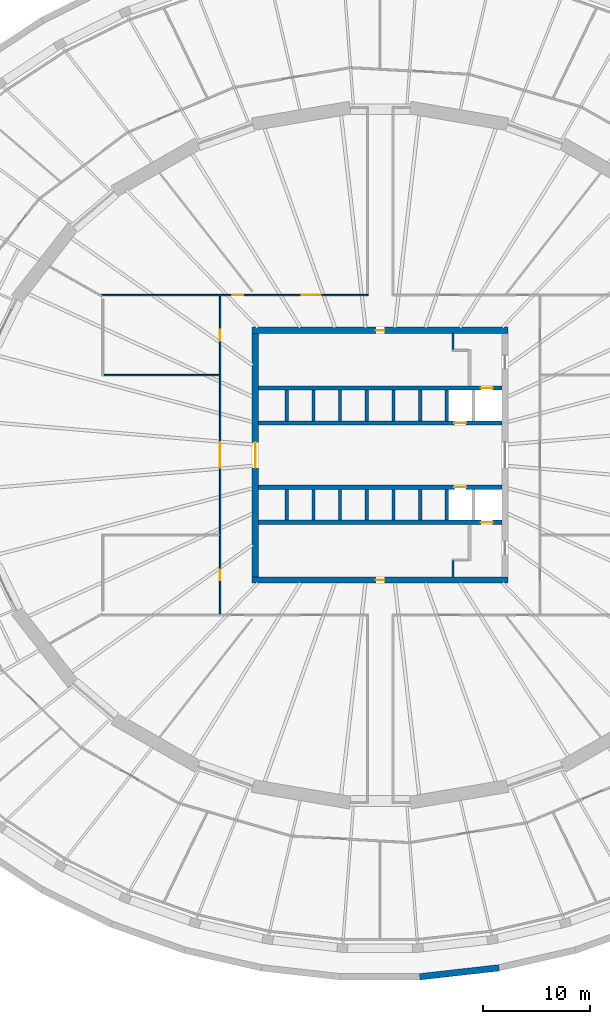
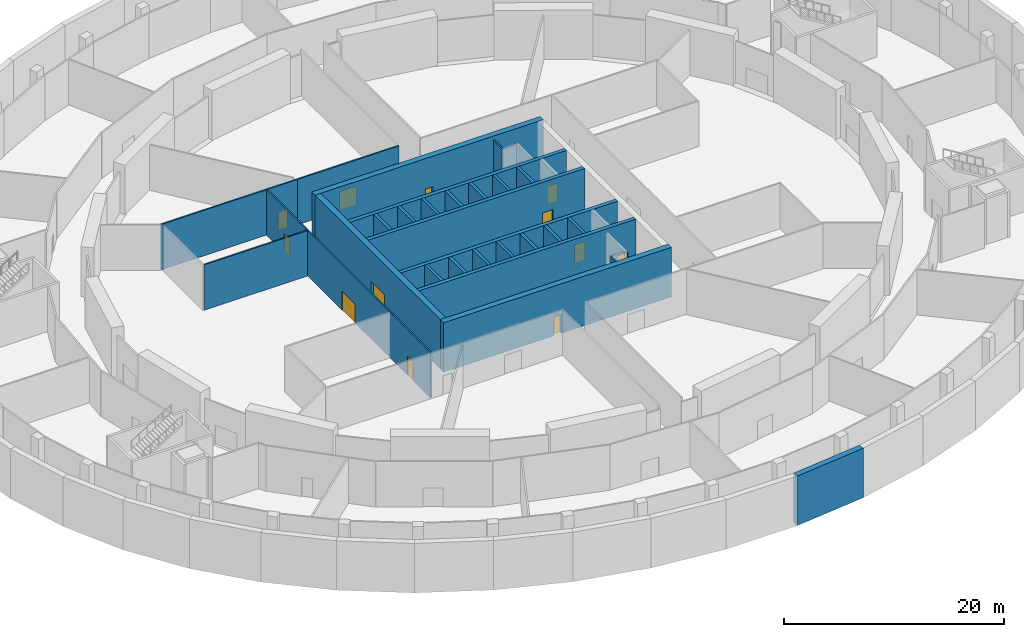
# One storey, part 7 of 14: 28 walls, 12 doors, 12 openings.
"""IFC4 building model written with IfcOpenShell, lengths in metres."""

import ifcopenshell
import ifcopenshell.guid

model = None  # the IFC model being written
_history = None  # IfcOwnerHistory: only IFC2X3 demands one
_inside = {}  # id of a spatial element -> (the spatial element, [elements in it])
_under = {}  # id of a project, library or spatial element -> (it, [spatial elements below it])
_declared = {}  # id of a project -> (the project, [libraries it declares])
_typed = {}  # id of a type object -> (the type object, [elements of that type])
_made_of = {}  # id of a material, layer set ... -> (it, [elements and type objects made of it])


def new_model(schema):
    """Start an empty IFC model of exactly this schema.

    Asked for "IFC4X3", IfcOpenShell would pick the latest addendum, in which some entities
    have other attributes; the version numbers below select the first issue.
    IFC2X3 requires an IfcOwnerHistory on every rooted entity: one is made here for all.
    """
    global model, _history
    if schema == "IFC4X3":
        model = ifcopenshell.file(schema_version=(4, 3, 0, 0))
    else:
        model = ifcopenshell.file(schema=schema)
    _inside.clear()
    _under.clear()
    _declared.clear()
    _typed.clear()
    _made_of.clear()
    _history = None
    if model.schema == "IFC2X3":
        org = make("IfcOrganization", Name="unknown")
        user = make(
            "IfcPersonAndOrganization",
            ThePerson=make("IfcPerson", FamilyName="unknown"),
            TheOrganization=org,
        )
        app = make(
            "IfcApplication",
            ApplicationDeveloper=org,
            Version="unknown",
            ApplicationFullName="unknown",
            ApplicationIdentifier="unknown",
        )
        _history = make(
            "IfcOwnerHistory",
            OwningUser=user,
            OwningApplication=app,
            ChangeAction="ADDED",
            CreationDate=0,
        )
    return model


def make(cls, **values):
    """One entity of the class cls with the attributes given. An attribute that is None is left unset."""
    return model.create_entity(
        cls, **{name: value for name, value in values.items() if value is not None}
    )


def rooted(cls, **values):
    """An entity with a GlobalId (a new one), such as an element, a storey or a relation."""
    return make(cls, GlobalId=ifcopenshell.guid.new(), OwnerHistory=_history, **values)


def si_unit(unit_type, name, prefix=None):
    """IfcSIUnit, for example si_unit("LENGTHUNIT", "METRE", prefix="MILLI")."""
    return make("IfcSIUnit", UnitType=unit_type, Prefix=prefix, Name=name)


def assignment(units):
    """IfcUnitAssignment: the units of a project."""
    return None if units is None else make("IfcUnitAssignment", Units=units)


def point(xyz):
    """IfcCartesianPoint."""
    return None if xyz is None else make("IfcCartesianPoint", Coordinates=xyz)


def direction(xyz):
    """IfcDirection."""
    return None if xyz is None else make("IfcDirection", DirectionRatios=xyz)


def frame(location, z_axis=None, x_axis=None):
    """IfcAxis2Placement3D, a coordinate frame: its origin and axes. An axis left out is left unset."""
    return make(
        "IfcAxis2Placement3D",
        Location=point(location),
        Axis=direction(z_axis),
        RefDirection=direction(x_axis),
    )


def frame_2d(location, x_axis=None):
    """IfcAxis2Placement2D, a coordinate frame in the plane: its origin and x axis."""
    return make(
        "IfcAxis2Placement2D", Location=point(location), RefDirection=direction(x_axis)
    )


def origin():
    """The frame at (0, 0, 0) with its axes left unset."""
    return frame((0.0, 0.0, 0.0))


def place(relative_to, where):
    """IfcLocalPlacement: puts the frame where relative to a parent placement (None: the world)."""
    return make(
        "IfcLocalPlacement", PlacementRelTo=relative_to, RelativePlacement=where
    )


def context(
    kind, dimensions, precision=None, world=None, true_north=None, identifier=None
):
    """IfcGeometricRepresentationContext, for example the 3D "Model" context."""
    return make(
        "IfcGeometricRepresentationContext",
        ContextIdentifier=identifier,
        ContextType=kind,
        CoordinateSpaceDimension=dimensions,
        Precision=precision,
        WorldCoordinateSystem=world,
        TrueNorth=true_north,
    )


def subcontext(parent, identifier, kind, view, scale=None):
    """IfcGeometricRepresentationSubContext, for example "Body" below "Model"."""
    return make(
        "IfcGeometricRepresentationSubContext",
        ContextIdentifier=identifier,
        ContextType=kind,
        ParentContext=parent,
        TargetScale=scale,
        TargetView=view,
    )


def project(units=None, contexts=None):
    """IfcProject with its units and contexts."""
    return rooted(
        "IfcProject",
        Name="project",
        RepresentationContexts=contexts,
        UnitsInContext=assignment(units),
    )


def spatial(cls, under=None, at=None, **own):
    """A site, building, storey or space (cls), placed at a placement, below another one or the project."""
    s = rooted(cls, ObjectPlacement=at, **own)
    if under is not None:
        _under.setdefault(under.id(), (under, []))[1].append(s)
    return s


def profile(cls, at=None, kind="AREA", **sizes):
    """A parametric profile (cls). Its sizes go by their IFC names, for example OverallWidth=200.0."""
    return make(cls, ProfileType=kind, Position=at, **sizes)


def rectangle(**sizes):
    """IfcRectangleProfileDef."""
    return profile("IfcRectangleProfileDef", **sizes)


def extrude(swept, where, along, depth):
    """IfcExtrudedAreaSolid: the profile swept, set in the frame where, extruded along a direction by depth."""
    return make(
        "IfcExtrudedAreaSolid",
        SweptArea=swept,
        Position=where,
        ExtrudedDirection=direction(along),
        Depth=depth,
    )


def shape(context_of_items, identifier, shape_type, items):
    """IfcShapeRepresentation: the items that make up one representation, for example the "Body"."""
    return make(
        "IfcShapeRepresentation",
        ContextOfItems=context_of_items,
        RepresentationIdentifier=identifier,
        RepresentationType=shape_type,
        Items=items,
    )


def material(Name=None, Category=None):
    """IfcMaterial."""
    return make("IfcMaterial", Name=Name, Category=Category)


def layer(
    of_material, thickness, ventilated=None, Name=None, Category=None, Priority=None
):
    """IfcMaterialLayer: one layer of a wall or slab, of a material (None: an air gap)."""
    return make(
        "IfcMaterialLayer",
        Material=of_material,
        LayerThickness=thickness,
        IsVentilated=ventilated,
        Name=Name,
        Category=Category,
        Priority=Priority,
    )


def layer_set(layers, Name=None):
    """IfcMaterialLayerSet."""
    return make("IfcMaterialLayerSet", MaterialLayers=layers, LayerSetName=Name)


def made_of(thing, what):
    """Note that an element or type object is made of a material, layer set ...; save() writes the relation."""
    if what is not None:
        _made_of.setdefault(what.id(), (what, []))[1].append(thing)
    return thing


def type_object(cls, material=None, **own):
    """A type object (cls), such as IfcWallType, which elements share."""
    return made_of(rooted(cls, **own), material)


def element(
    cls,
    number,
    at=None,
    inside=None,
    cuts=None,
    type_object=None,
    material=None,
    context=None,
    identifier="Body",
    shape_type=None,
    held_by="IfcProductDefinitionShape",
    body=None,
    shapes=None,
    **own,
):
    """One element of the class cls, such as IfcWall. Its Tag is "e" and its number.

    at: its placement. inside: the storey or other place that contains it. cuts: it is an
    opening in that element (IfcRelVoidsElement). A single representation is given by context,
    identifier, shape_type and body (its items); several are given by shapes. held_by: the class
    of the entity that holds the representations. save() writes the other relations.
    """
    e = rooted(cls, Tag="e%d" % number, ObjectPlacement=at, **own)
    if body is not None:
        shapes = [shape(context, identifier, shape_type, body)]
    if shapes is not None:
        e.Representation = make(held_by, Representations=shapes)
    if inside is not None:
        _inside.setdefault(inside.id(), (inside, []))[1].append(e)
    if cuts is not None:
        rooted(
            "IfcRelVoidsElement", RelatingBuildingElement=cuts, RelatedOpeningElement=e
        )
    if type_object is not None:
        _typed.setdefault(type_object.id(), (type_object, []))[1].append(e)
    return made_of(e, material)


def fill(opening, filler):
    """IfcRelFillsElement: the door or window that sits in an opening."""
    return rooted(
        "IfcRelFillsElement",
        RelatingOpeningElement=opening,
        RelatedBuildingElement=filler,
    )


def aggregate(whole, parts):
    """IfcRelAggregates: a whole, such as a stair, and the parts it consists of."""
    return rooted("IfcRelAggregates", RelatingObject=whole, RelatedObjects=parts)


def save(model, path):
    """Write the relations noted so far, then the file.

    IfcRelAggregates (storeys below a building ...), IfcRelContainedInSpatialStructure (elements
    in a storey), IfcRelDefinesByType, IfcRelAssociatesMaterial and IfcRelDeclares: one each for
    every whole, place, type object, material and project.
    """
    for whole, parts in _under.values():
        aggregate(whole, parts)
    for where, things in _inside.values():
        rooted(
            "IfcRelContainedInSpatialStructure",
            RelatedElements=things,
            RelatingStructure=where,
        )
    for kind, things in _typed.values():
        rooted("IfcRelDefinesByType", RelatedObjects=things, RelatingType=kind)
    for what, things in _made_of.values():
        rooted("IfcRelAssociatesMaterial", RelatedObjects=things, RelatingMaterial=what)
    for by, libraries in _declared.values():
        rooted("IfcRelDeclares", RelatingContext=by, RelatedDefinitions=libraries)
    model.write(path)


model = new_model("IFC4")

# Units and contexts
model_context = context("Model", 3, precision=1e-05, world=origin(), true_north=direction((0.0, 1.0)))
body_context = subcontext(model_context, "Body", "Model", "MODEL_VIEW")
ifc_project = project(units=[si_unit("LENGTHUNIT", "METRE"), si_unit("AREAUNIT", "SQUARE_METRE"), si_unit("VOLUMEUNIT", "CUBIC_METRE"), si_unit("PLANEANGLEUNIT", "RADIAN"), si_unit("MASSUNIT", "GRAM", prefix="KILO")], contexts=[model_context])

# Site, building, storey
site_placement = place(None, origin())
site = spatial("IfcSite", under=ifc_project, at=site_placement, CompositionType="ELEMENT")
building_placement = place(site_placement, origin())
building = spatial("IfcBuilding", under=site, at=building_placement, Name="Halqa Exchange Tower", CompositionType="ELEMENT")
storey_placement = place(building_placement, frame((0.0, 0.0, -9.5)))
storey = spatial("IfcBuildingStorey", under=building, at=storey_placement, Name="B2", CompositionType="ELEMENT", Elevation=-9.5)

# Wall, opening, door
ifc_material_1 = material(Name="Fire-rated gypsum board")
ifc_layer_1 = layer(ifc_material_1, 0.14990234375)
ifc_layer_set_1 = layer_set([ifc_layer_1], Name="Fire-rated gypsum board")
wall_type_1 = type_object("IfcWallType", Name="Fire partition EI 60 150", PredefinedType="PARTITIONING", material=ifc_layer_set_1)
wall_1_placement = place(storey_placement, frame((-26.1298828125, 15.0, 0.0), z_axis=(0.0, 0.0, 1.0), x_axis=(1.0, 0.0, 0.0)))
wall_1 = element("IfcWall", 1, at=wall_1_placement, inside=storey, type_object=wall_type_1, Name="B2-PWL-044", PredefinedType="PARTITIONING", context=body_context, shape_type="SweptSolid", body=[
    extrude(rectangle(XDim=14.31982421875, YDim=0.14990234375, at=frame_2d((7.159912109375, 0.0))), origin(), (0.0, 0.0, 1.0), 5.050048828125),
])
opening_1_placement = place(wall_1_placement, frame((12.280029296875, 0.0, 0.0)))
opening_1 = element("IfcOpeningElement", 2, at=opening_1_placement, cuts=wall_1, Name="Opening B2-11", PredefinedType="OPENING", context=body_context, shape_type="SweptSolid", body=[
    extrude(rectangle(XDim=1.0, YDim=2.10009765625, at=frame_2d((0.5, 1.050048828125))), frame((0.0, 0.0869140625, 0.0), z_axis=(0.0, -1.0, 0.0), x_axis=(1.0, 0.0, 0.0)), (0.0, 0.0, 1.0), 0.173828125),
])
ifc_material_2 = material(Name="Steel fire door leaf", Category="steel")
door_type_1 = type_object("IfcDoorType", Name="Fire door FD30S 1000 x 2100", OperationType="SINGLE_SWING_LEFT", PredefinedType="DOOR", material=ifc_material_2)
door_1_placement = place(opening_1_placement, frame((1.0, 0.0, 0.0), z_axis=(0.0, 0.0, 1.0), x_axis=(-1.0, 0.0, 0.0)))
door_1 = element("IfcDoor", 3, at=door_1_placement, inside=storey, type_object=door_type_1, Name="B2-IDR-011", OperationType="SINGLE_SWING_LEFT", OverallHeight=2.10009765625, OverallWidth=1.0, PredefinedType="DOOR", context=body_context, shape_type="SweptSolid", body=[
    extrude(rectangle(XDim=1.0, YDim=2.10009765625, at=frame_2d((0.5, 1.050048828125))), frame((0.0, 0.02490234375, 0.0), z_axis=(0.0, -1.0, 0.0), x_axis=(1.0, 0.0, 0.0)), (0.0, 0.0, 1.0), 0.050048828125),
])
fill(opening_1, door_1)

# Wall, openings, doors
wall_2_placement = place(storey_placement, frame((-15.0, -14.925048828125, 0.0), z_axis=(0.0, 0.0, 1.0), x_axis=(0.0, 1.0, 0.0)))
wall_2 = element("IfcWall", 4, at=wall_2_placement, inside=storey, type_object=wall_type_1, Name="B2-PWL-058", PredefinedType="PARTITIONING", context=body_context, shape_type="SweptSolid", body=[
    extrude(rectangle(XDim=29.85009765625, YDim=0.14990234375, at=frame_2d((14.925048828125, 0.0))), origin(), (0.0, 0.0, 1.0), 5.050048828125),
])
opening_2_placement = place(wall_2_placement, frame((25.659912109375, 0.0, 0.0)))
opening_2 = element("IfcOpeningElement", 5, at=opening_2_placement, cuts=wall_2, Name="Opening B2-03", PredefinedType="OPENING", context=body_context, shape_type="SweptSolid", body=[
    extrude(rectangle(XDim=1.0, YDim=2.10009765625, at=frame_2d((0.5, 1.050048828125))), frame((0.0, 0.0869140625, 0.0), z_axis=(0.0, -1.0, 0.0), x_axis=(1.0, 0.0, 0.0)), (0.0, 0.0, 1.0), 0.173828125),
])
opening_3_placement = place(wall_2_placement, frame((3.18994140625, 0.0, 0.0)))
opening_3 = element("IfcOpeningElement", 6, at=opening_3_placement, cuts=wall_2, Name="Opening B2-04", PredefinedType="OPENING", context=body_context, shape_type="SweptSolid", body=[
    extrude(rectangle(XDim=1.0, YDim=2.10009765625, at=frame_2d((0.5, 1.050048828125))), frame((0.0, 0.0869140625, 0.0), z_axis=(0.0, -1.0, 0.0), x_axis=(1.0, 0.0, 0.0)), (0.0, 0.0, 1.0), 0.173828125),
])
opening_4_placement = place(wall_2_placement, frame((13.72509765625, 0.0, 0.0)))
opening_4 = element("IfcOpeningElement", 7, at=opening_4_placement, cuts=wall_2, Name="Opening B2-12", PredefinedType="OPENING", context=body_context, shape_type="SweptSolid", body=[
    extrude(rectangle(XDim=2.39990234375, YDim=2.10009765625, at=frame_2d((1.199951171875, 1.050048828125))), frame((0.0, 0.0869140625, 0.0), z_axis=(0.0, -1.0, 0.0), x_axis=(1.0, 0.0, 0.0)), (0.0, 0.0, 1.0), 0.173828125),
])
door_2_placement = place(opening_2_placement, frame((1.0, 0.0, 0.0), z_axis=(0.0, 0.0, 1.0), x_axis=(-1.0, 0.0, 0.0)))
door_2 = element("IfcDoor", 8, at=door_2_placement, inside=storey, type_object=door_type_1, Name="B2-IDR-003", OperationType="SINGLE_SWING_RIGHT", OverallHeight=2.10009765625, OverallWidth=1.0, PredefinedType="DOOR", context=body_context, shape_type="SweptSolid", body=[
    extrude(rectangle(XDim=1.0, YDim=2.10009765625, at=frame_2d((0.5, 1.050048828125))), frame((0.0, 0.02490234375, 0.0), z_axis=(0.0, -1.0, 0.0), x_axis=(1.0, 0.0, 0.0)), (0.0, 0.0, 1.0), 0.050048828125),
])
fill(opening_2, door_2)
door_3_placement = place(opening_3_placement, frame((1.0, 0.0, 0.0), z_axis=(0.0, 0.0, 1.0), x_axis=(-1.0, 0.0, 0.0)))
door_3 = element("IfcDoor", 9, at=door_3_placement, inside=storey, type_object=door_type_1, Name="B2-IDR-004", OperationType="SINGLE_SWING_LEFT", OverallHeight=2.10009765625, OverallWidth=1.0, PredefinedType="DOOR", context=body_context, shape_type="SweptSolid", body=[
    extrude(rectangle(XDim=1.0, YDim=2.10009765625, at=frame_2d((0.5, 1.050048828125))), frame((0.0, 0.02490234375, 0.0), z_axis=(0.0, -1.0, 0.0), x_axis=(1.0, 0.0, 0.0)), (0.0, 0.0, 1.0), 0.050048828125),
])
fill(opening_3, door_3)
door_type_2 = type_object("IfcDoorType", Name="Fire door FD60S double 2400 x 2100", OperationType="DOUBLE_DOOR_SINGLE_SWING", PredefinedType="DOOR", material=ifc_material_2)
door_4_placement = place(opening_4_placement, frame((2.39990234375, 0.0, 0.0), z_axis=(0.0, 0.0, 1.0), x_axis=(-1.0, 0.0, 0.0)))
door_4 = element("IfcDoor", 10, at=door_4_placement, inside=storey, type_object=door_type_2, Name="B2-IDR-012", OperationType="DOUBLE_DOOR_SINGLE_SWING", OverallHeight=2.10009765625, OverallWidth=2.39990234375, PredefinedType="DOOR", context=body_context, shape_type="SweptSolid", body=[
    extrude(rectangle(XDim=2.39990234375, YDim=2.10009765625, at=frame_2d((1.199951171875, 1.050048828125))), frame((0.0, 0.02490234375, 0.0), z_axis=(0.0, -1.0, 0.0), x_axis=(1.0, 0.0, 0.0)), (0.0, 0.0, 1.0), 0.050048828125),
])
fill(opening_4, door_4)

# Wall
wall_3_placement = place(storey_placement, frame((-15.074951171875, 7.5, 0.0), z_axis=(0.0, 0.0, 1.0), x_axis=(-1.0, 0.0, 0.0)))
element("IfcWall", 11, at=wall_3_placement, inside=storey, type_object=wall_type_1, Name="B2-PWL-059", PredefinedType="PARTITIONING", context=body_context, shape_type="SweptSolid", body=[
    extrude(rectangle(XDim=10.85107421875, YDim=0.14990234375, at=frame_2d((5.425537109375, 0.0))), origin(), (0.0, 0.0, 1.0), 5.050048828125),
])

# Wall, opening, door
wall_4_placement = place(storey_placement, frame((-11.810546875, 15.0, 0.0), z_axis=(0.0, 0.0, 1.0), x_axis=(1.0, 0.0, 0.0)))
wall_4 = element("IfcWall", 12, at=wall_4_placement, inside=storey, type_object=wall_type_1, Name="B2-PWL-062", PredefinedType="PARTITIONING", context=body_context, shape_type="SweptSolid", body=[
    extrude(rectangle(XDim=10.685546875, YDim=0.14990234375, at=frame_2d((5.3427734375, 0.0))), origin(), (0.0, 0.0, 1.0), 5.050048828125),
])
opening_5_placement = place(wall_4_placement, frame((4.44140625, 0.0, 0.0)))
opening_5 = element("IfcOpeningElement", 13, at=opening_5_placement, cuts=wall_4, Name="Opening B2-10", PredefinedType="OPENING", context=body_context, shape_type="SweptSolid", body=[
    extrude(rectangle(XDim=1.800048828125, YDim=2.10009765625, at=frame_2d((0.89990234375, 1.050048828125))), frame((0.0, 0.0869140625, 0.0), z_axis=(0.0, -1.0, 0.0), x_axis=(1.0, 0.0, 0.0)), (0.0, 0.0, 1.0), 0.173828125),
])
door_type_3 = type_object("IfcDoorType", Name="Fire door FD30S double 1800 x 2100", OperationType="DOUBLE_DOOR_SINGLE_SWING", PredefinedType="DOOR", material=ifc_material_2)
door_5_placement = place(opening_5_placement, frame((1.800048828125, 0.0, 0.0), z_axis=(0.0, 0.0, 1.0), x_axis=(-1.0, 0.0, 0.0)))
door_5 = element("IfcDoor", 14, at=door_5_placement, inside=storey, type_object=door_type_3, Name="B2-IDR-010", OperationType="DOUBLE_DOOR_SINGLE_SWING", OverallHeight=2.10009765625, OverallWidth=1.800048828125, PredefinedType="DOOR", context=body_context, shape_type="SweptSolid", body=[
    extrude(rectangle(XDim=1.800048828125, YDim=2.10009765625, at=frame_2d((0.89990234375, 1.050048828125))), frame((0.0, 0.02490234375, 0.0), z_axis=(0.0, -1.0, 0.0), x_axis=(1.0, 0.0, 0.0)), (0.0, 0.0, 1.0), 0.050048828125),
])
fill(opening_5, door_5)

# Walls
ifc_material_3 = material(Name="Gypsum board")
ifc_layer_2 = layer(ifc_material_3, 0.14990234375)
ifc_layer_set_2 = layer_set([ifc_layer_2], Name="Gypsum board")
wall_type_2 = type_object("IfcWallType", Name="Penthouse riser wall 150 gypsum", PredefinedType="PARTITIONING", material=ifc_layer_set_2)
for number, where, z_axis, x_axis, name in (
    (15, (6.824951171875, 9.89990234375, 0.0), (0.0, 0.0, 1.0), (0.0, 1.0, 0.0), "Firefighting lobby west wall N"),
    (16, (6.824951171875, -11.39990234375, 0.0), (0.0, 0.0, 1.0), (0.0, 1.0, 0.0), "Firefighting lobby west wall S"),
):
    element("IfcWall", number, at=place(storey_placement, frame(where, z_axis=z_axis, x_axis=x_axis)), inside=storey, type_object=wall_type_2, Name=name, PredefinedType="PARTITIONING", context=body_context, shape_type="SweptSolid", body=[
        extrude(rectangle(XDim=1.5, YDim=0.14990234375, at=frame_2d((0.75, 0.0))), origin(), (0.0, 0.0, 1.0), 5.050048828125),
    ])
ifc_material_4 = material(Name="Concrete C40/50", Category="concrete")
ifc_layer_3 = layer(ifc_material_4, 0.60009765625)
ifc_layer_set_3 = layer_set([ifc_layer_3], Name="Concrete C40/50")
wall_type_3 = type_object("IfcWallType", Name="RC basement wall 600", PredefinedType="SOLIDWALL", material=ifc_layer_set_3)
wall_5_placement = place(storey_placement, frame((3.711181640625, -48.89697265625, 0.0), z_axis=(0.0, 0.0, 1.0), x_axis=(0.993658203282, 0.112442763445, 0.0)))
element("IfcWall", 17, at=wall_5_placement, inside=storey, type_object=wall_type_3, Name="Basement retaining wall", PredefinedType="SOLIDWALL", context=body_context, shape_type="SweptSolid", body=[
    extrude(rectangle(XDim=7.473388671875, YDim=0.60009765625, at=frame_2d((3.73681640625, 0.0))), origin(), (0.0, 0.0, 1.0), 5.5),
])
ifc_material_5 = material(Name="Concrete C60/75", Category="concrete")
ifc_layer_4 = layer(ifc_material_5, 0.300048828125)
ifc_layer_set_4 = layer_set([ifc_layer_4], Name="Concrete C60/75")
wall_type_4 = type_object("IfcWallType", Name="RC core wall 300", PredefinedType="SHEAR", material=ifc_layer_set_4)
for number, where, z_axis, x_axis, name in (
    (18, (-8.75, 3.199951171875, 0.0), (0.0, 0.0, 1.0), (0.0, 1.0, 0.0), "Shaft divider N1"),
    (19, (-6.25, 3.199951171875, 0.0), (0.0, 0.0, 1.0), (0.0, 1.0, 0.0), "Shaft divider N2"),
    (20, (-3.75, 3.199951171875, 0.0), (0.0, 0.0, 1.0), (0.0, 1.0, 0.0), "Shaft divider N3"),
    (21, (-1.25, 3.199951171875, 0.0), (0.0, 0.0, 1.0), (0.0, 1.0, 0.0), "Shaft divider N4"),
    (22, (1.25, 3.199951171875, 0.0), (0.0, 0.0, 1.0), (0.0, 1.0, 0.0), "Shaft divider N5"),
    (23, (3.75, 3.199951171875, 0.0), (0.0, 0.0, 1.0), (0.0, 1.0, 0.0), "Shaft divider N6"),
    (24, (6.25, 3.199951171875, 0.0), (0.0, 0.0, 1.0), (0.0, 1.0, 0.0), "Shaft divider N7"),
    (25, (-8.75, -6.10009765625, 0.0), (0.0, 0.0, 1.0), (0.0, 1.0, 0.0), "Shaft divider S1"),
    (26, (-6.25, -6.10009765625, 0.0), (0.0, 0.0, 1.0), (0.0, 1.0, 0.0), "Shaft divider S2"),
    (27, (-3.75, -6.10009765625, 0.0), (0.0, 0.0, 1.0), (0.0, 1.0, 0.0), "Shaft divider S3"),
    (28, (-1.25, -6.10009765625, 0.0), (0.0, 0.0, 1.0), (0.0, 1.0, 0.0), "Shaft divider S4"),
    (29, (1.25, -6.10009765625, 0.0), (0.0, 0.0, 1.0), (0.0, 1.0, 0.0), "Shaft divider S5"),
    (30, (3.75, -6.10009765625, 0.0), (0.0, 0.0, 1.0), (0.0, 1.0, 0.0), "Shaft divider S6"),
    (31, (6.25, -6.10009765625, 0.0), (0.0, 0.0, 1.0), (0.0, 1.0, 0.0), "Shaft divider S7"),
):
    element("IfcWall", number, at=place(storey_placement, frame(where, z_axis=z_axis, x_axis=x_axis)), inside=storey, type_object=wall_type_4, Name=name, PredefinedType="SHEAR", context=body_context, shape_type="SweptSolid", body=[
        extrude(rectangle(XDim=2.900146484375, YDim=0.300048828125, at=frame_2d((1.4501953125, 0.0))), origin(), (0.0, 0.0, 1.0), 5.5),
    ])

# Wall, opening, door
ifc_material_6 = material(Name="Concrete C80/95", Category="concrete")
ifc_layer_5 = layer(ifc_material_6, 0.39990234375)
ifc_layer_set_5 = layer_set([ifc_layer_5], Name="Concrete C80/95")
wall_type_5 = type_object("IfcWallType", Name="RC core wall 400 C80/95", PredefinedType="SHEAR", material=ifc_layer_set_5)
wall_6_placement = place(storey_placement, frame((-11.39990234375, 3.0, 0.0), z_axis=(0.0, 0.0, 1.0), x_axis=(1.0, 0.0, 0.0)))
wall_6 = element("IfcWall", 32, at=wall_6_placement, inside=storey, type_object=wall_type_5, Name="Lift row front wall N", PredefinedType="SHEAR", context=body_context, shape_type="SweptSolid", body=[
    extrude(rectangle(XDim=22.7998046875, YDim=0.39990234375, at=frame_2d((11.39990234375, 0.0))), origin(), (0.0, 0.0, 1.0), 5.5),
])
opening_6_placement = place(wall_6_placement, frame((18.35009765625, 0.0, 0.0)))
opening_6 = element("IfcOpeningElement", 33, at=opening_6_placement, cuts=wall_6, Name="Opening LD-SV1-B2", PredefinedType="OPENING", context=body_context, shape_type="SweptSolid", body=[
    extrude(rectangle(XDim=1.10009765625, YDim=2.10009765625, at=frame_2d((0.550048828125, 1.050048828125))), frame((0.0, 0.2119140625, 0.0), z_axis=(0.0, -1.0, 0.0), x_axis=(1.0, 0.0, 0.0)), (0.0, 0.0, 1.0), 0.423828125),
])
ifc_material_7 = material(Name="Stainless steel", Category="steel")
door_type_4 = type_object("IfcDoorType", Name="Lift landing door 1100 x 2100", OperationType="SLIDING_TO_LEFT", PredefinedType="DOOR", material=ifc_material_7)
door_6_placement = place(opening_6_placement, origin())
door_6 = element("IfcDoor", 34, at=door_6_placement, inside=storey, type_object=door_type_4, Name="Lift landing door SV1", OperationType="SLIDING_TO_LEFT", OverallHeight=2.10009765625, OverallWidth=1.10009765625, PredefinedType="DOOR", context=body_context, shape_type="SweptSolid", body=[
    extrude(rectangle(XDim=1.10009765625, YDim=2.10009765625, at=frame_2d((0.550048828125, 1.050048828125))), frame((0.0, 0.02490234375, 0.0), z_axis=(0.0, -1.0, 0.0), x_axis=(1.0, 0.0, 0.0)), (0.0, 0.0, 1.0), 0.050048828125),
])
fill(opening_6, door_6)

wall_7_placement = place(storey_placement, frame((-11.39990234375, 6.300048828125, 0.0), z_axis=(0.0, 0.0, 1.0), x_axis=(1.0, 0.0, 0.0)))
wall_7 = element("IfcWall", 35, at=wall_7_placement, inside=storey, type_object=wall_type_5, Name="Lift row back wall N", PredefinedType="SHEAR", context=body_context, shape_type="SweptSolid", body=[
    extrude(rectangle(XDim=22.7998046875, YDim=0.39990234375, at=frame_2d((11.39990234375, 0.0))), origin(), (0.0, 0.0, 1.0), 5.5),
])
opening_7_placement = place(wall_7_placement, frame((20.85009765625, 0.0, 0.0)))
opening_7 = element("IfcOpeningElement", 36, at=opening_7_placement, cuts=wall_7, Name="Opening LD-FF1-B2", PredefinedType="OPENING", context=body_context, shape_type="SweptSolid", body=[
    extrude(rectangle(XDim=1.10009765625, YDim=2.10009765625, at=frame_2d((0.550048828125, 1.050048828125))), frame((0.0, 0.2119140625, 0.0), z_axis=(0.0, -1.0, 0.0), x_axis=(1.0, 0.0, 0.0)), (0.0, 0.0, 1.0), 0.423828125),
])
door_7_placement = place(opening_7_placement, origin())
door_7 = element("IfcDoor", 37, at=door_7_placement, inside=storey, type_object=door_type_4, Name="Lift landing door FF1", OperationType="SLIDING_TO_LEFT", OverallHeight=2.10009765625, OverallWidth=1.10009765625, PredefinedType="DOOR", context=body_context, shape_type="SweptSolid", body=[
    extrude(rectangle(XDim=1.10009765625, YDim=2.10009765625, at=frame_2d((0.550048828125, 1.050048828125))), frame((0.0, 0.02490234375, 0.0), z_axis=(0.0, -1.0, 0.0), x_axis=(1.0, 0.0, 0.0)), (0.0, 0.0, 1.0), 0.050048828125),
])
fill(opening_7, door_7)

wall_8_placement = place(storey_placement, frame((-11.39990234375, -3.0, 0.0), z_axis=(0.0, 0.0, 1.0), x_axis=(1.0, 0.0, 0.0)))
wall_8 = element("IfcWall", 38, at=wall_8_placement, inside=storey, type_object=wall_type_5, Name="Lift row front wall S", PredefinedType="SHEAR", context=body_context, shape_type="SweptSolid", body=[
    extrude(rectangle(XDim=22.7998046875, YDim=0.39990234375, at=frame_2d((11.39990234375, 0.0))), origin(), (0.0, 0.0, 1.0), 5.5),
])
opening_8_placement = place(wall_8_placement, frame((18.35009765625, 0.0, 0.0)))
opening_8 = element("IfcOpeningElement", 39, at=opening_8_placement, cuts=wall_8, Name="Opening LD-SV2-B2", PredefinedType="OPENING", context=body_context, shape_type="SweptSolid", body=[
    extrude(rectangle(XDim=1.10009765625, YDim=2.10009765625, at=frame_2d((0.550048828125, 1.050048828125))), frame((0.0, 0.2119140625, 0.0), z_axis=(0.0, -1.0, 0.0), x_axis=(1.0, 0.0, 0.0)), (0.0, 0.0, 1.0), 0.423828125),
])
door_8_placement = place(opening_8_placement, origin())
door_8 = element("IfcDoor", 40, at=door_8_placement, inside=storey, type_object=door_type_4, Name="Lift landing door SV2", OperationType="SLIDING_TO_LEFT", OverallHeight=2.10009765625, OverallWidth=1.10009765625, PredefinedType="DOOR", context=body_context, shape_type="SweptSolid", body=[
    extrude(rectangle(XDim=1.10009765625, YDim=2.10009765625, at=frame_2d((0.550048828125, 1.050048828125))), frame((0.0, 0.02490234375, 0.0), z_axis=(0.0, -1.0, 0.0), x_axis=(1.0, 0.0, 0.0)), (0.0, 0.0, 1.0), 0.050048828125),
])
fill(opening_8, door_8)

wall_9_placement = place(storey_placement, frame((-11.39990234375, -6.300048828125, 0.0), z_axis=(0.0, 0.0, 1.0), x_axis=(1.0, 0.0, 0.0)))
wall_9 = element("IfcWall", 41, at=wall_9_placement, inside=storey, type_object=wall_type_5, Name="Lift row back wall S", PredefinedType="SHEAR", context=body_context, shape_type="SweptSolid", body=[
    extrude(rectangle(XDim=22.7998046875, YDim=0.39990234375, at=frame_2d((11.39990234375, 0.0))), origin(), (0.0, 0.0, 1.0), 5.5),
])
opening_9_placement = place(wall_9_placement, frame((20.85009765625, 0.0, 0.0)))
opening_9 = element("IfcOpeningElement", 42, at=opening_9_placement, cuts=wall_9, Name="Opening LD-FF2-B2", PredefinedType="OPENING", context=body_context, shape_type="SweptSolid", body=[
    extrude(rectangle(XDim=1.10009765625, YDim=2.10009765625, at=frame_2d((0.550048828125, 1.050048828125))), frame((0.0, 0.2119140625, 0.0), z_axis=(0.0, -1.0, 0.0), x_axis=(1.0, 0.0, 0.0)), (0.0, 0.0, 1.0), 0.423828125),
])
door_9_placement = place(opening_9_placement, origin())
door_9 = element("IfcDoor", 43, at=door_9_placement, inside=storey, type_object=door_type_4, Name="Lift landing door FF2", OperationType="SLIDING_TO_LEFT", OverallHeight=2.10009765625, OverallWidth=1.10009765625, PredefinedType="DOOR", context=body_context, shape_type="SweptSolid", body=[
    extrude(rectangle(XDim=1.10009765625, YDim=2.10009765625, at=frame_2d((0.550048828125, 1.050048828125))), frame((0.0, 0.02490234375, 0.0), z_axis=(0.0, -1.0, 0.0), x_axis=(1.0, 0.0, 0.0)), (0.0, 0.0, 1.0), 0.050048828125),
])
fill(opening_9, door_9)

ifc_layer_6 = layer(ifc_material_6, 0.60009765625)
ifc_layer_set_6 = layer_set([ifc_layer_6], Name="Concrete C80/95")
wall_type_6 = type_object("IfcWallType", Name="RC core wall 600 C80/95", PredefinedType="SHEAR", material=ifc_layer_set_6)
wall_10_placement = place(storey_placement, frame((-12.0, 11.699951171875, 0.0), z_axis=(0.0, 0.0, 1.0), x_axis=(1.0, 0.0, 0.0)))
wall_10 = element("IfcWall", 44, at=wall_10_placement, inside=storey, type_object=wall_type_6, Name="Core wall north", PredefinedType="SHEAR", context=body_context, shape_type="SweptSolid", body=[
    extrude(rectangle(XDim=24.0, YDim=0.60009765625, at=frame_2d((12.0, 0.0))), origin(), (0.0, 0.0, 1.0), 5.5),
])
opening_10_placement = place(wall_10_placement, frame((11.60009765625, 0.0, 0.0)))
opening_10 = element("IfcOpeningElement", 45, at=opening_10_placement, cuts=wall_10, Name="Opening B2-C17", PredefinedType="OPENING", context=body_context, shape_type="SweptSolid", body=[
    extrude(rectangle(XDim=0.800048828125, YDim=2.10009765625, at=frame_2d((0.39990234375, 1.050048828125))), frame((0.0, 0.31201171875, 0.0), z_axis=(0.0, -1.0, 0.0), x_axis=(1.0, 0.0, 0.0)), (0.0, 0.0, 1.0), 0.6240234375),
])
door_type_5 = type_object("IfcDoorType", Name="Riser door FD60 800 x 2100", OperationType="SINGLE_SWING_LEFT", PredefinedType="DOOR", material=ifc_material_2)
door_10_placement = place(opening_10_placement, origin())
door_10 = element("IfcDoor", 46, at=door_10_placement, inside=storey, type_object=door_type_5, Name="Core room door", OperationType="SINGLE_SWING_LEFT", OverallHeight=2.10009765625, OverallWidth=0.800048828125, PredefinedType="DOOR", context=body_context, shape_type="SweptSolid", body=[
    extrude(rectangle(XDim=0.800048828125, YDim=2.10009765625, at=frame_2d((0.39990234375, 1.050048828125))), frame((0.0, 0.02490234375, 0.0), z_axis=(0.0, -1.0, 0.0), x_axis=(1.0, 0.0, 0.0)), (0.0, 0.0, 1.0), 0.050048828125),
])
fill(opening_10, door_10)

wall_11_placement = place(storey_placement, frame((-12.0, -11.699951171875, 0.0), z_axis=(0.0, 0.0, 1.0), x_axis=(1.0, 0.0, 0.0)))
wall_11 = element("IfcWall", 47, at=wall_11_placement, inside=storey, type_object=wall_type_6, Name="Core wall south", PredefinedType="SHEAR", context=body_context, shape_type="SweptSolid", body=[
    extrude(rectangle(XDim=24.0, YDim=0.60009765625, at=frame_2d((12.0, 0.0))), origin(), (0.0, 0.0, 1.0), 5.5),
])
opening_11_placement = place(wall_11_placement, frame((11.60009765625, 0.0, 0.0)))
opening_11 = element("IfcOpeningElement", 48, at=opening_11_placement, cuts=wall_11, Name="Opening B2-C18", PredefinedType="OPENING", context=body_context, shape_type="SweptSolid", body=[
    extrude(rectangle(XDim=0.800048828125, YDim=2.10009765625, at=frame_2d((0.39990234375, 1.050048828125))), frame((0.0, 0.31201171875, 0.0), z_axis=(0.0, -1.0, 0.0), x_axis=(1.0, 0.0, 0.0)), (0.0, 0.0, 1.0), 0.6240234375),
])
door_11_placement = place(opening_11_placement, frame((0.800048828125, 0.0, 0.0), z_axis=(0.0, 0.0, 1.0), x_axis=(-1.0, 0.0, 0.0)))
door_11 = element("IfcDoor", 49, at=door_11_placement, inside=storey, type_object=door_type_5, Name="Core room door", OperationType="SINGLE_SWING_LEFT", OverallHeight=2.10009765625, OverallWidth=0.800048828125, PredefinedType="DOOR", context=body_context, shape_type="SweptSolid", body=[
    extrude(rectangle(XDim=0.800048828125, YDim=2.10009765625, at=frame_2d((0.39990234375, 1.050048828125))), frame((0.0, 0.02490234375, 0.0), z_axis=(0.0, -1.0, 0.0), x_axis=(1.0, 0.0, 0.0)), (0.0, 0.0, 1.0), 0.050048828125),
])
fill(opening_11, door_11)

wall_12_placement = place(storey_placement, frame((-11.699951171875, -11.39990234375, 0.0), z_axis=(0.0, 0.0, 1.0), x_axis=(0.0, 1.0, 0.0)))
wall_12 = element("IfcWall", 50, at=wall_12_placement, inside=storey, type_object=wall_type_6, Name="Core wall west", PredefinedType="SHEAR", context=body_context, shape_type="SweptSolid", body=[
    extrude(rectangle(XDim=22.7998046875, YDim=0.60009765625, at=frame_2d((11.39990234375, 0.0))), origin(), (0.0, 0.0, 1.0), 5.5),
])
opening_12_placement = place(wall_12_placement, frame((10.199951171875, 0.0, 0.0)))
opening_12 = element("IfcOpeningElement", 51, at=opening_12_placement, cuts=wall_12, Name="Opening B2-C05", PredefinedType="OPENING", context=body_context, shape_type="SweptSolid", body=[
    extrude(rectangle(XDim=2.39990234375, YDim=2.10009765625, at=frame_2d((1.199951171875, 1.050048828125))), frame((0.0, 0.31201171875, 0.0), z_axis=(0.0, -1.0, 0.0), x_axis=(1.0, 0.0, 0.0)), (0.0, 0.0, 1.0), 0.6240234375),
])
door_type_6 = type_object("IfcDoorType", Name="Lobby double door FD60 2400 x 2100", OperationType="DOUBLE_DOOR_SINGLE_SWING", PredefinedType="DOOR", material=ifc_material_2)
door_12_placement = place(opening_12_placement, origin())
door_12 = element("IfcDoor", 52, at=door_12_placement, inside=storey, type_object=door_type_6, Name="Lift lobby double door", OperationType="DOUBLE_DOOR_SINGLE_SWING", OverallHeight=2.10009765625, OverallWidth=2.39990234375, PredefinedType="DOOR", context=body_context, shape_type="SweptSolid", body=[
    extrude(rectangle(XDim=2.39990234375, YDim=2.10009765625, at=frame_2d((1.199951171875, 1.050048828125))), frame((0.0, 0.02490234375, 0.0), z_axis=(0.0, -1.0, 0.0), x_axis=(1.0, 0.0, 0.0)), (0.0, 0.0, 1.0), 0.050048828125),
])
fill(opening_12, door_12)

save(model, "model.ifc")
